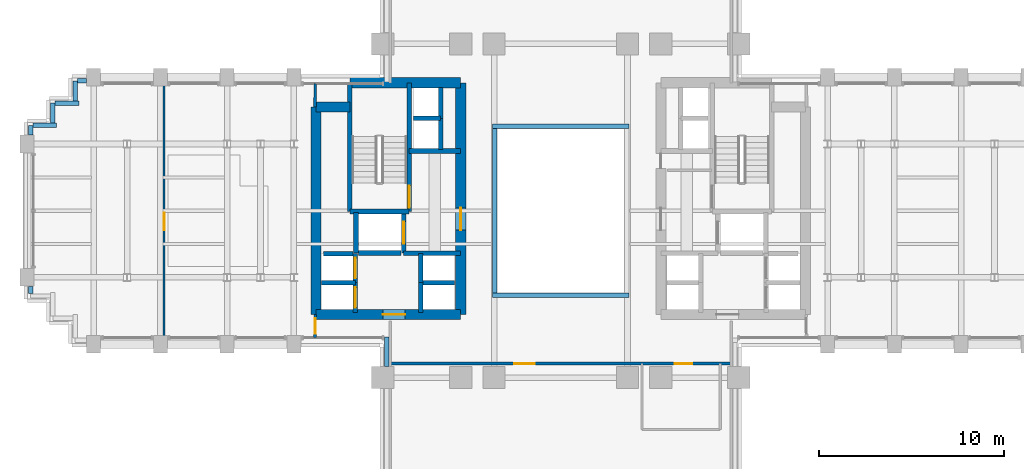
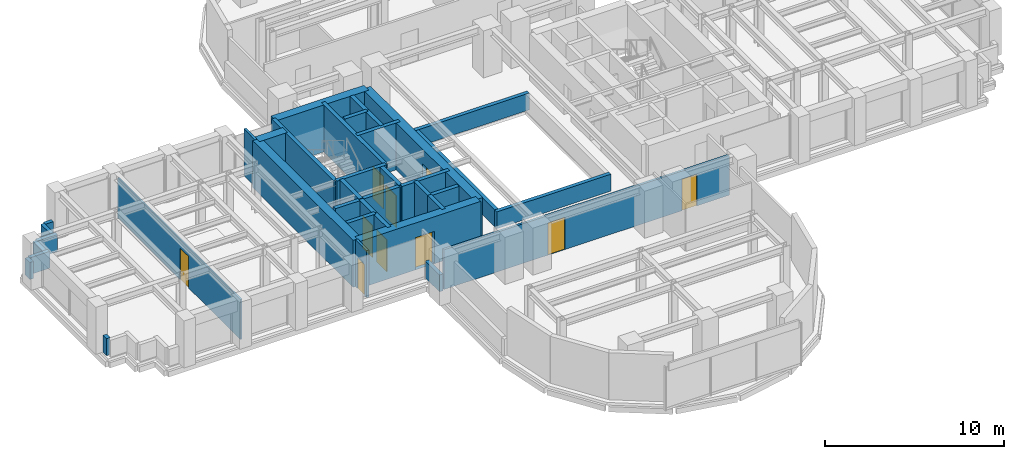
# One storey, part 10 of 16: 38 walls, 10 doors, 10 openings.
"""IFC4 building model written with IfcOpenShell, lengths in metres."""

from ifc_helpers import new_model, si_unit, direction, frame, frame_2d, origin, place, context, subcontext, project, spatial, rectangle, extrude, source, transform, mapped, material, layer, layer_set, type_object, element, fill, save


model = new_model("IFC4")

# Units and contexts
model_context = context("Model", 3, precision=1e-05, world=origin(), true_north=direction((0.0, 1.0)))
body_context = subcontext(model_context, "Body", "Model", "MODEL_VIEW")
ifc_project = project(units=[si_unit("LENGTHUNIT", "METRE"), si_unit("AREAUNIT", "SQUARE_METRE"), si_unit("VOLUMEUNIT", "CUBIC_METRE"), si_unit("PLANEANGLEUNIT", "RADIAN"), si_unit("MASSUNIT", "GRAM", prefix="KILO")], contexts=[model_context])

# Site, building, storey
site_placement = place(None, origin())
site = spatial("IfcSite", under=ifc_project, at=site_placement, CompositionType="ELEMENT")
building_placement = place(site_placement, origin())
building = spatial("IfcBuilding", under=site, at=building_placement, Name="Keilestroom Media Tower", CompositionType="ELEMENT")
storey_placement = place(building_placement, frame((0.0, 0.0, 61.199951171875)))
storey = spatial("IfcBuildingStorey", under=building, at=storey_placement, Name="L15", CompositionType="ELEMENT", Elevation=61.199951171875)

# Wall, opening, door
ifc_material_1 = material(Name="Gypsum Plasterboard & Steel Stud", Category="steel")
ifc_layer_1 = layer(ifc_material_1, 0.1201171875)
ifc_layer_set_1 = layer_set([ifc_layer_1], Name="Gypsum Plasterboard & Steel Stud")
wall_type_1 = type_object("IfcWallType", Name="Interior-Partition-Wall-120", PredefinedType="PARTITIONING", material=ifc_layer_set_1)
wall_1_placement = place(storey_placement, frame((-21.39990234375, -6.85009765625, 0.0), z_axis=(0.0, 0.0, 1.0), x_axis=(0.0, 1.0, 0.0)))
wall_1 = element("IfcWall", 1, at=wall_1_placement, inside=storey, type_object=wall_type_1, Name="L15 Interior Wall WP-L15-WA-V", PredefinedType="PARTITIONING", context=body_context, shape_type="SweptSolid", body=[
    extrude(rectangle(XDim=13.7001953125, YDim=0.1201171875, at=frame_2d((6.85009765625, 0.0))), origin(), (0.0, 0.0, 1.0), 2.7099609375),
])
opening_1_placement = place(wall_1_placement, frame((5.800048828125, 0.0, 0.0)))
opening_1 = element("IfcOpeningElement", 2, at=opening_1_placement, cuts=wall_1, Name="Opening DI-03", PredefinedType="OPENING", context=body_context, shape_type="SweptSolid", body=[
    extrude(rectangle(XDim=0.949951171875, YDim=2.14990234375, at=frame_2d((0.47509765625, 1.074951171875))), frame((0.0, 0.070068359375, 0.0), z_axis=(0.0, -1.0, 0.0), x_axis=(1.0, 0.0, 0.0)), (0.0, 0.0, 1.0), 0.14013671875),
])
ifc_material_2 = material(Name="Lacquered European Oak Leaf", Category="wood")
door_type_1 = type_object("IfcDoorType", Name="Interior-Room-And-Suite-Door-DI-03", OperationType="NOTDEFINED", PredefinedType="DOOR", material=ifc_material_2)
shared_shape_1 = source(origin(), body_context, "Body", "SweptSolid", [
    extrude(rectangle(XDim=0.949951171875, YDim=2.14990234375, at=frame_2d((0.47509765625, 1.074951171875))), frame((0.0, 0.02490234375, 0.0), z_axis=(0.0, -1.0, 0.0), x_axis=(1.0, 0.0, 0.0)), (0.0, 0.0, 1.0), 0.050048828125),
])
door_1_placement = place(opening_1_placement, origin())
door_1 = element("IfcDoor", 3, at=door_1_placement, inside=storey, type_object=door_type_1, Name="L15 Interior Door DI-L15-DWA-W", OperationType="SINGLE_SWING_LEFT", OverallHeight=2.14990234375, OverallWidth=0.949951171875, PredefinedType="DOOR", context=body_context, shape_type="MappedRepresentation", body=[
    mapped(shared_shape_1, transform((0.0, 0.0, 0.0), x_axis=(1.0, 0.0, 0.0), y_axis=(0.0, 1.0, 0.0), z_axis=(0.0, 0.0, 1.0), scale=1.0)),
])
fill(opening_1, door_1)

# Wall, openings, doors
ifc_layer_2 = layer(ifc_material_1, 0.14990234375)
ifc_layer_set_2 = layer_set([ifc_layer_2], Name="Gypsum Plasterboard & Steel Stud")
wall_type_2 = type_object("IfcWallType", Name="Interior-Partition-Wall-150", PredefinedType="PARTITIONING", material=ifc_layer_set_2)
wall_2_placement = place(storey_placement, frame((-9.199951171875, -8.25, 0.0), z_axis=(0.0, 0.0, 1.0), x_axis=(1.0, 0.0, 0.0)))
wall_2 = element("IfcWall", 4, at=wall_2_placement, inside=storey, type_object=wall_type_2, Name="L15 Interior Wall WP-L15-SL-BASE", PredefinedType="PARTITIONING", context=body_context, shape_type="SweptSolid", body=[
    extrude(rectangle(XDim=18.39990234375, YDim=0.14990234375, at=frame_2d((9.199951171875, 0.0))), origin(), (0.0, 0.0, 1.0), 2.699951171875),
])
opening_2_placement = place(wall_2_placement, frame((15.35009765625, 0.0, 0.0)))
opening_2 = element("IfcOpeningElement", 5, at=opening_2_placement, cuts=wall_2, Name="Opening DI-03", PredefinedType="OPENING", context=body_context, shape_type="SweptSolid", body=[
    extrude(rectangle(XDim=0.949951171875, YDim=2.14990234375, at=frame_2d((0.47509765625, 1.074951171875))), frame((0.0, 0.0849609375, 0.0), z_axis=(0.0, -1.0, 0.0), x_axis=(1.0, 0.0, 0.0)), (0.0, 0.0, 1.0), 0.169921875),
])
opening_3_placement = place(wall_2_placement, frame((6.699951171875, 0.0, 0.0)))
opening_3 = element("IfcOpeningElement", 6, at=opening_3_placement, cuts=wall_2, Name="Opening DI-04", PredefinedType="OPENING", context=body_context, shape_type="SweptSolid", body=[
    extrude(rectangle(XDim=1.10009765625, YDim=2.199951171875, at=frame_2d((0.550048828125, 1.10009765625))), frame((0.0, 0.0849609375, 0.0), z_axis=(0.0, -1.0, 0.0), x_axis=(1.0, 0.0, 0.0)), (0.0, 0.0, 1.0), 0.169921875),
])
door_2_placement = place(opening_2_placement, origin())
door_2 = element("IfcDoor", 7, at=door_2_placement, inside=storey, type_object=door_type_1, Name="L15 Interior Door DI-L15-DSL-WC", OperationType="SINGLE_SWING_RIGHT", OverallHeight=2.14990234375, OverallWidth=0.949951171875, PredefinedType="DOOR", context=body_context, shape_type="MappedRepresentation", body=[
    mapped(shared_shape_1, transform((0.0, 0.0, 0.0), x_axis=(1.0, 0.0, 0.0), y_axis=(0.0, 1.0, 0.0), z_axis=(0.0, 0.0, 1.0), scale=1.0)),
])
fill(opening_2, door_2)
ifc_material_3 = material(Name="Acoustic Glazed Aluminium Leaf", Category="aluminium")
door_type_2 = type_object("IfcDoorType", Name="Interior-Room-And-Suite-Door-DI-04", OperationType="NOTDEFINED", PredefinedType="DOOR", material=ifc_material_3)
shared_shape_2 = source(origin(), body_context, "Body", "SweptSolid", [
    extrude(rectangle(XDim=1.10009765625, YDim=2.199951171875, at=frame_2d((0.550048828125, 1.10009765625))), frame((0.0, 0.02490234375, 0.0), z_axis=(0.0, -1.0, 0.0), x_axis=(1.0, 0.0, 0.0)), (0.0, 0.0, 1.0), 0.050048828125),
])
door_3_placement = place(opening_3_placement, origin())
door_3 = element("IfcDoor", 8, at=door_3_placement, inside=storey, type_object=door_type_2, Name="L15 Interior Door DI-L15-DSL-MAIN", OperationType="SINGLE_SWING_LEFT", OverallHeight=2.199951171875, OverallWidth=1.10009765625, PredefinedType="DOOR", context=body_context, shape_type="MappedRepresentation", body=[
    mapped(shared_shape_2, transform((0.0, 0.0, 0.0), x_axis=(1.0, 0.0, 0.0), y_axis=(0.0, 1.0, 0.0), z_axis=(0.0, 0.0, 1.0), scale=1.0)),
])
fill(opening_3, door_3)

# Wall
wall_3_placement = place(storey_placement, frame((-13.260009765625, 5.60009765625, 0.0), z_axis=(0.0, 0.0, 1.0), x_axis=(0.016013571389, 0.999871774545, 0.0)))
element("IfcWall", 9, at=wall_3_placement, inside=storey, type_object=wall_type_2, Name="L15 Interior Wall WP-L15-WA-ENTN", PredefinedType="PARTITIONING", context=body_context, shape_type="SweptSolid", body=[
    extrude(rectangle(XDim=1.250244140625, YDim=0.14990234375, at=frame_2d((0.625, 0.0))), origin(), (0.0, 0.0, 1.0), 3.199951171875),
])

# Wall, opening, door
wall_4_placement = place(storey_placement, frame((-13.260009765625, -6.85009765625, 0.0), z_axis=(0.0, 0.0, 1.0), x_axis=(0.016013571389, 0.999871774545, 0.0)))
wall_4 = element("IfcWall", 10, at=wall_4_placement, inside=storey, type_object=wall_type_2, Name="L15 Interior Wall WP-L15-WA-ENTS", PredefinedType="PARTITIONING", context=body_context, shape_type="SweptSolid", body=[
    extrude(rectangle(XDim=1.250244140625, YDim=0.14990234375, at=frame_2d((0.625, 0.0))), origin(), (0.0, 0.0, 1.0), 3.199951171875),
])
opening_4_placement = place(wall_4_placement, frame((0.199951171875, 0.0, 0.0)))
opening_4 = element("IfcOpeningElement", 11, at=opening_4_placement, cuts=wall_4, Name="Opening DI-05", PredefinedType="OPENING", context=body_context, shape_type="SweptSolid", body=[
    extrude(rectangle(XDim=0.85009765625, YDim=2.10009765625, at=frame_2d((0.425048828125, 1.050048828125))), frame((0.0, 0.0849609375, 0.0), z_axis=(0.0, -1.0, 0.0), x_axis=(1.0, 0.0, 0.0)), (0.0, 0.0, 1.0), 0.169921875),
])
ifc_material_4 = material(Name="Moisture-Resistant Oak Leaf", Category="wood")
door_type_3 = type_object("IfcDoorType", Name="Interior-En-Suite-And-Cupboard-Door-DI-05", OperationType="NOTDEFINED", PredefinedType="DOOR", material=ifc_material_4)
shared_shape_3 = source(origin(), body_context, "Body", "SweptSolid", [
    extrude(rectangle(XDim=0.85009765625, YDim=2.10009765625, at=frame_2d((0.425048828125, 1.050048828125))), frame((0.0, 0.02490234375, 0.0), z_axis=(0.0, -1.0, 0.0), x_axis=(1.0, 0.0, 0.0)), (0.0, 0.0, 1.0), 0.050048828125),
])
door_4_placement = place(opening_4_placement, origin())
door_4 = element("IfcDoor", 12, at=door_4_placement, inside=storey, type_object=door_type_3, Name="L15 Interior Door DI-L15-DWA-E", OperationType="SINGLE_SWING_RIGHT", OverallHeight=2.10009765625, OverallWidth=0.85009765625, PredefinedType="DOOR", context=body_context, shape_type="MappedRepresentation", body=[
    mapped(shared_shape_3, transform((0.0, 0.0, 0.0), x_axis=(1.0, 0.0, 0.0), y_axis=(0.0, 1.0, 0.0), z_axis=(0.0, 0.0, 1.0), scale=1.0)),
])
fill(opening_4, door_4)

# Wall
ifc_material_5 = material(Name="Concrete C70/85", Category="concrete")
ifc_layer_3 = layer(ifc_material_5, 0.550048828125)
ifc_layer_set_3 = layer_set([ifc_layer_3], Name="Concrete C70/85")
wall_type_3 = type_object("IfcWallType", Name="Reinforced-Concrete-Core-Shear-Wall-550", PredefinedType="SHEAR", material=ifc_layer_set_3)
wall_5_placement = place(storey_placement, frame((-13.199951171875, -5.60009765625, 0.0), z_axis=(0.0, 0.0, 1.0), x_axis=(0.0, 1.0, 0.0)))
element("IfcWall", 13, at=wall_5_placement, inside=storey, type_object=wall_type_3, Name="L15 Core Shear Wall WL-L15-CORE-W-OUT", PredefinedType="SHEAR", context=body_context, shape_type="SweptSolid", body=[
    extrude(rectangle(XDim=11.2001953125, YDim=0.550048828125, at=frame_2d((5.60009765625, 0.0))), origin(), (0.0, 0.0, 1.0), 3.199951171875),
])

# Wall, opening, door
wall_6_placement = place(storey_placement, frame((-5.39990234375, -5.60009765625, 0.0), z_axis=(0.0, 0.0, 1.0), x_axis=(0.0, 1.0, 0.0)))
wall_6 = element("IfcWall", 14, at=wall_6_placement, inside=storey, type_object=wall_type_3, Name="L15 Core Shear Wall WL-L15-CORE-W-IN", PredefinedType="SHEAR", context=body_context, shape_type="SweptSolid", body=[
    extrude(rectangle(XDim=12.5, YDim=0.550048828125, at=frame_2d((6.25, 0.0))), origin(), (0.0, 0.0, 1.0), 3.199951171875),
])
opening_5_placement = place(wall_6_placement, frame((4.550048828125, 0.0, 0.0)))
opening_5 = element("IfcOpeningElement", 15, at=opening_5_placement, cuts=wall_6, Name="Opening DI-02", PredefinedType="OPENING", context=body_context, shape_type="SweptSolid", body=[
    extrude(rectangle(XDim=1.199951171875, YDim=2.199951171875, at=frame_2d((0.60009765625, 1.10009765625))), frame((0.0, 0.28515625, 0.0), z_axis=(0.0, -1.0, 0.0), x_axis=(1.0, 0.0, 0.0)), (0.0, 0.0, 1.0), 0.570068359375),
])
ifc_material_6 = material(Name="Powder-Coated Steel Fire Leaf", Category="steel")
door_type_4 = type_object("IfcDoorType", Name="Interior-Compartment-Fire-Door-DI-02", OperationType="NOTDEFINED", PredefinedType="DOOR", material=ifc_material_6)
shared_shape_4 = source(origin(), body_context, "Body", "SweptSolid", [
    extrude(rectangle(XDim=1.199951171875, YDim=2.199951171875, at=frame_2d((0.60009765625, 1.10009765625))), frame((0.0, 0.02490234375, 0.0), z_axis=(0.0, -1.0, 0.0), x_axis=(1.0, 0.0, 0.0)), (0.0, 0.0, 1.0), 0.050048828125),
])
door_5_placement = place(opening_5_placement, origin())
door_5 = element("IfcDoor", 16, at=door_5_placement, inside=storey, type_object=door_type_4, Name="L15 W Firefighting Lobby Door", OperationType="SINGLE_SWING_RIGHT", OverallHeight=2.199951171875, OverallWidth=1.199951171875, PredefinedType="DOOR", context=body_context, shape_type="MappedRepresentation", body=[
    mapped(shared_shape_4, transform((0.0, 0.0, 0.0), x_axis=(1.0, 0.0, 0.0), y_axis=(0.0, 1.0, 0.0), z_axis=(0.0, 0.0, 1.0), scale=1.0)),
])
fill(opening_5, door_5)

# Walls
wall_7_placement = place(storey_placement, frame((-11.381103515625, 6.89990234375, 0.0), z_axis=(0.0, 0.0, 1.0), x_axis=(1.0, 0.0, 0.0)))
element("IfcWall", 17, at=wall_7_placement, inside=storey, type_object=wall_type_3, Name="L15 Core Shear Wall WL-L15-CORE-W-N", PredefinedType="SHEAR", context=body_context, shape_type="SweptSolid", body=[
    extrude(rectangle(XDim=5.981201171875, YDim=0.550048828125, at=frame_2d((2.99072265625, 0.0))), origin(), (0.0, 0.0, 1.0), 3.199951171875),
])
wall_8_placement = place(storey_placement, frame((-13.199951171875, 5.60009765625, 0.0), z_axis=(0.0, 0.0, 1.0), x_axis=(1.0, 0.0, 0.0)))
element("IfcWall", 18, at=wall_8_placement, inside=storey, type_object=wall_type_3, Name="L15 Core Shear Wall WL-L15-CNW-N", PredefinedType="SHEAR", context=body_context, shape_type="SweptSolid", body=[
    extrude(rectangle(XDim=1.81884765625, YDim=0.550048828125, at=frame_2d((0.909423828125, 0.0))), origin(), (0.0, 0.0, 1.0), 3.199951171875),
])

# Wall, opening, door
wall_9_placement = place(storey_placement, frame((-13.199951171875, -5.60009765625, 0.0), z_axis=(0.0, 0.0, 1.0), x_axis=(1.0, 0.0, 0.0)))
wall_9 = element("IfcWall", 19, at=wall_9_placement, inside=storey, type_object=wall_type_3, Name="L15 Core Shear Wall WL-L15-CORE-W-S", PredefinedType="SHEAR", context=body_context, shape_type="SweptSolid", body=[
    extrude(rectangle(XDim=7.800048828125, YDim=0.550048828125, at=frame_2d((3.89990234375, 0.0))), origin(), (0.0, 0.0, 1.0), 3.199951171875),
])
opening_6_placement = place(wall_9_placement, frame((3.60009765625, 0.0, 0.0)))
opening_6 = element("IfcOpeningElement", 20, at=opening_6_placement, cuts=wall_9, Name="Opening DI-02", PredefinedType="OPENING", context=body_context, shape_type="SweptSolid", body=[
    extrude(rectangle(XDim=1.199951171875, YDim=2.199951171875, at=frame_2d((0.60009765625, 1.10009765625))), frame((0.0, 0.28515625, 0.0), z_axis=(0.0, -1.0, 0.0), x_axis=(1.0, 0.0, 0.0)), (0.0, 0.0, 1.0), 0.570068359375),
])
door_6_placement = place(opening_6_placement, origin())
door_6 = element("IfcDoor", 21, at=door_6_placement, inside=storey, type_object=door_type_4, Name="L15 W Passenger Lift Lobby Door", OperationType="SINGLE_SWING_LEFT", OverallHeight=2.199951171875, OverallWidth=1.199951171875, PredefinedType="DOOR", context=body_context, shape_type="MappedRepresentation", body=[
    mapped(shared_shape_4, transform((0.0, 0.0, 0.0), x_axis=(1.0, 0.0, 0.0), y_axis=(0.0, 1.0, 0.0), z_axis=(0.0, 0.0, 1.0), scale=1.0)),
])
fill(opening_6, door_6)

# Walls
ifc_material_7 = material(Name="Concrete C50/60", Category="concrete")
ifc_layer_4 = layer(ifc_material_7, 0.25)
ifc_layer_set_4 = layer_set([ifc_layer_4], Name="Concrete C50/60")
wall_type_4 = type_object("IfcWallType", Name="Reinforced-Concrete-Shaft-Wall-250", PredefinedType="SOLIDWALL", material=ifc_layer_set_4)
wall_10_placement = place(storey_placement, frame((-8.179931640625, 3.219970703125, 0.0), z_axis=(0.0, 0.0, 1.0), x_axis=(1.0, 0.0, 0.0)))
element("IfcWall", 22, at=wall_10_placement, inside=storey, type_object=wall_type_4, Name="L15 Core Shear Wall WL-L15-CORE-W-FFN", PredefinedType="SOLIDWALL", context=body_context, shape_type="SweptSolid", body=[
    extrude(rectangle(XDim=2.780029296875, YDim=0.25, at=frame_2d((1.39013671875, 0.0))), origin(), (0.0, 0.0, 1.0), 3.199951171875),
])
wall_11_placement = place(storey_placement, frame((-8.47998046875, -2.300048828125, 0.0), z_axis=(0.0, 0.0, 1.0), x_axis=(1.0, 0.0, 0.0)))
element("IfcWall", 23, at=wall_11_placement, inside=storey, type_object=wall_type_4, Name="L15 Core Shear Wall WL-L15-CORE-W-FFS", PredefinedType="SOLIDWALL", context=body_context, shape_type="SweptSolid", body=[
    extrude(rectangle(XDim=3.080078125, YDim=0.25, at=frame_2d((1.5400390625, 0.0))), origin(), (0.0, 0.0, 1.0), 3.199951171875),
])

# Wall, opening, door
wall_12_placement = place(storey_placement, frame((-8.178955078125, -0.041015625, 0.0), z_axis=(0.0, 0.0, 1.0), x_axis=(0.0, 1.0, 0.0)))
wall_12 = element("IfcWall", 24, at=wall_12_placement, inside=storey, type_object=wall_type_4, Name="L15 Core Shear Wall WL-L15-STW-W-NEAR", PredefinedType="SOLIDWALL", context=body_context, shape_type="SweptSolid", body=[
    extrude(rectangle(XDim=6.94091796875, YDim=0.25, at=frame_2d((3.470458984375, 0.0))), origin(), (0.0, 0.0, 1.0), 3.199951171875),
])
opening_7_placement = place(wall_12_placement, frame((0.199951171875, 0.0, 0.0)))
opening_7 = element("IfcOpeningElement", 25, at=opening_7_placement, cuts=wall_12, Name="Opening DI-01S", PredefinedType="OPENING", context=body_context, shape_type="SweptSolid", body=[
    extrude(rectangle(XDim=1.199951171875, YDim=2.199951171875, at=frame_2d((0.60009765625, 1.10009765625))), frame((0.0, 0.135009765625, 0.0), z_axis=(0.0, -1.0, 0.0), x_axis=(1.0, 0.0, 0.0)), (0.0, 0.0, 1.0), 0.27001953125),
])
door_type_5 = type_object("IfcDoorType", Name="Interior-Stair-And-Core-Fire-Door-DI-01", OperationType="NOTDEFINED", PredefinedType="DOOR", material=ifc_material_6)
door_7_placement = place(opening_7_placement, origin())
door_7 = element("IfcDoor", 26, at=door_7_placement, inside=storey, type_object=door_type_5, Name="L15 Escape Stair ST-1 Fire Door", OperationType="SINGLE_SWING_LEFT", OverallHeight=2.199951171875, OverallWidth=1.199951171875, PredefinedType="DOOR", context=body_context, shape_type="MappedRepresentation", body=[
    mapped(shared_shape_4, transform((0.0, 0.0, 0.0), x_axis=(1.0, 0.0, 0.0), y_axis=(0.0, 1.0, 0.0), z_axis=(0.0, 0.0, 1.0), scale=1.0)),
])
fill(opening_7, door_7)

# Walls
wall_13_placement = place(storey_placement, frame((-11.381103515625, -0.041015625, 0.0), z_axis=(0.0, 0.0, 1.0), x_axis=(0.0, 1.0, 0.0)))
element("IfcWall", 27, at=wall_13_placement, inside=storey, type_object=wall_type_4, Name="L15 Core Shear Wall WL-L15-STW-W-FAR", PredefinedType="SOLIDWALL", context=body_context, shape_type="SweptSolid", body=[
    extrude(rectangle(XDim=6.94091796875, YDim=0.25, at=frame_2d((3.470458984375, 0.0))), origin(), (0.0, 0.0, 1.0), 3.199951171875),
])
wall_14_placement = place(storey_placement, frame((-11.381103515625, -0.041015625, 0.0), z_axis=(0.0, 0.0, 1.0), x_axis=(1.0, 0.0, 0.0)))
element("IfcWall", 28, at=wall_14_placement, inside=storey, type_object=wall_type_4, Name="L15 Core Shear Wall WL-L15-STW-W-S", PredefinedType="SOLIDWALL", context=body_context, shape_type="SweptSolid", body=[
    extrude(rectangle(XDim=3.2021484375, YDim=0.25, at=frame_2d((1.60107421875, 0.0))), origin(), (0.0, 0.0, 1.0), 3.199951171875),
])
wall_15_placement = place(storey_placement, frame((-11.050048828125, -2.280029296875, 0.0), z_axis=(0.0, 0.0, 1.0), x_axis=(0.0, 1.0, 0.0)))
element("IfcWall", 29, at=wall_15_placement, inside=storey, type_object=wall_type_4, Name="L15 Core Shear Wall WL-L15-LSH-FFL-1-W", PredefinedType="SOLIDWALL", context=body_context, shape_type="SweptSolid", body=[
    extrude(rectangle(XDim=2.179931640625, YDim=0.25, at=frame_2d((1.08984375, 0.0))), origin(), (0.0, 0.0, 1.0), 3.199951171875),
])

# Wall, opening, door
wall_16_placement = place(storey_placement, frame((-8.47998046875, -2.280029296875, 0.0), z_axis=(0.0, 0.0, 1.0), x_axis=(0.0, 1.0, 0.0)))
wall_16 = element("IfcWall", 30, at=wall_16_placement, inside=storey, type_object=wall_type_4, Name="L15 Core Shear Wall WL-L15-LSH-FFL-1-E", PredefinedType="SOLIDWALL", context=body_context, shape_type="SweptSolid", body=[
    extrude(rectangle(XDim=2.179931640625, YDim=0.25, at=frame_2d((1.08984375, 0.0))), origin(), (0.0, 0.0, 1.0), 3.199951171875),
])
opening_8_placement = place(wall_16_placement, frame((0.489990234375, 0.0, 0.0)))
opening_8 = element("IfcOpeningElement", 31, at=opening_8_placement, cuts=wall_16, Name="Opening LD-02", PredefinedType="OPENING", context=body_context, shape_type="SweptSolid", body=[
    extrude(rectangle(XDim=1.199951171875, YDim=2.199951171875, at=frame_2d((0.60009765625, 1.10009765625))), frame((0.0, 0.135009765625, 0.0), z_axis=(0.0, -1.0, 0.0), x_axis=(1.0, 0.0, 0.0)), (0.0, 0.0, 1.0), 0.27001953125),
])
ifc_material_8 = material(Name="Brushed Stainless Steel Sliding Leaf", Category="steel")
door_type_6 = type_object("IfcDoorType", Name="Lift-Landing-Sliding-Door-LD-02", OperationType="SLIDING_TO_RIGHT", PredefinedType="DOOR", material=ifc_material_8)
door_8_placement = place(opening_8_placement, origin())
door_8 = element("IfcDoor", 32, at=door_8_placement, inside=storey, type_object=door_type_6, Name="L15 Lift FFL-1 Landing Sliding Door", OperationType="SLIDING_TO_RIGHT", OverallHeight=2.199951171875, OverallWidth=1.199951171875, PredefinedType="DOOR", context=body_context, shape_type="MappedRepresentation", body=[
    mapped(shared_shape_4, transform((0.0, 0.0, 0.0), x_axis=(1.0, 0.0, 0.0), y_axis=(0.0, 1.0, 0.0), z_axis=(0.0, 0.0, 1.0), scale=1.0)),
])
fill(opening_8, door_8)

# Wall
wall_17_placement = place(storey_placement, frame((-10.9208984375, -2.280029296875, 0.0), z_axis=(0.0, 0.0, 1.0), x_axis=(1.0, 0.0, 0.0)))
element("IfcWall", 33, at=wall_17_placement, inside=storey, type_object=wall_type_4, Name="L15 Core Shear Wall WL-L15-LSH-FFL-1-S", PredefinedType="SOLIDWALL", context=body_context, shape_type="SweptSolid", body=[
    extrude(rectangle(XDim=2.31201171875, YDim=0.25, at=frame_2d((1.156005859375, 0.0))), origin(), (0.0, 0.0, 1.0), 3.199951171875),
])

# Wall, opening, door
wall_18_placement = place(storey_placement, frame((-11.080078125, -5.47998046875, 0.0), z_axis=(0.0, 0.0, 1.0), x_axis=(0.0, 1.0, 0.0)))
wall_18 = element("IfcWall", 34, at=wall_18_placement, inside=storey, type_object=wall_type_4, Name="L15 Core Shear Wall WL-L15-LSH-PL-L1-E", PredefinedType="SOLIDWALL", context=body_context, shape_type="SweptSolid", body=[
    extrude(rectangle(XDim=1.60009765625, YDim=0.25, at=frame_2d((0.800048828125, 0.0))), origin(), (0.0, 0.0, 1.0), 3.199951171875),
])
opening_9_placement = place(wall_18_placement, frame((0.25, 0.0, 0.0)))
opening_9 = element("IfcOpeningElement", 35, at=opening_9_placement, cuts=wall_18, Name="Opening LD-01", PredefinedType="OPENING", context=body_context, shape_type="SweptSolid", body=[
    extrude(rectangle(XDim=1.10009765625, YDim=2.199951171875, at=frame_2d((0.550048828125, 1.10009765625))), frame((0.0, 0.135009765625, 0.0), z_axis=(0.0, -1.0, 0.0), x_axis=(1.0, 0.0, 0.0)), (0.0, 0.0, 1.0), 0.27001953125),
])
door_type_7 = type_object("IfcDoorType", Name="Lift-Landing-Sliding-Door-LD-01", OperationType="SLIDING_TO_LEFT", PredefinedType="DOOR", material=ifc_material_8)
door_9_placement = place(opening_9_placement, origin())
door_9 = element("IfcDoor", 36, at=door_9_placement, inside=storey, type_object=door_type_7, Name="L15 Lift PL-L1 Landing Sliding Door", OperationType="SLIDING_TO_LEFT", OverallHeight=2.199951171875, OverallWidth=1.10009765625, PredefinedType="DOOR", context=body_context, shape_type="MappedRepresentation", body=[
    mapped(shared_shape_2, transform((0.0, 0.0, 0.0), x_axis=(1.0, 0.0, 0.0), y_axis=(0.0, 1.0, 0.0), z_axis=(0.0, 0.0, 1.0), scale=1.0)),
])
fill(opening_9, door_9)

# Wall
wall_19_placement = place(storey_placement, frame((-12.919921875, -3.8798828125, 0.0), z_axis=(0.0, 0.0, 1.0), x_axis=(1.0, 0.0, 0.0)))
element("IfcWall", 37, at=wall_19_placement, inside=storey, type_object=wall_type_4, Name="L15 Core Shear Wall WL-L15-LSH-PL-L1-N", PredefinedType="SOLIDWALL", context=body_context, shape_type="SweptSolid", body=[
    extrude(rectangle(XDim=1.83984375, YDim=0.25, at=frame_2d((0.919921875, 0.0))), origin(), (0.0, 0.0, 1.0), 3.199951171875),
])

# Wall, opening, door
wall_20_placement = place(storey_placement, frame((-11.080078125, -3.8798828125, 0.0), z_axis=(0.0, 0.0, 1.0), x_axis=(0.0, 1.0, 0.0)))
wall_20 = element("IfcWall", 38, at=wall_20_placement, inside=storey, type_object=wall_type_4, Name="L15 Core Shear Wall WL-L15-LSH-PL-L2-E", PredefinedType="SOLIDWALL", context=body_context, shape_type="SweptSolid", body=[
    extrude(rectangle(XDim=1.559814453125, YDim=0.25, at=frame_2d((0.77978515625, 0.0))), origin(), (0.0, 0.0, 1.0), 3.199951171875),
])
opening_10_placement = place(wall_20_placement, frame((0.22998046875, 0.0, 0.0)))
opening_10 = element("IfcOpeningElement", 39, at=opening_10_placement, cuts=wall_20, Name="Opening LD-01", PredefinedType="OPENING", context=body_context, shape_type="SweptSolid", body=[
    extrude(rectangle(XDim=1.10009765625, YDim=2.199951171875, at=frame_2d((0.550048828125, 1.10009765625))), frame((0.0, 0.135009765625, 0.0), z_axis=(0.0, -1.0, 0.0), x_axis=(1.0, 0.0, 0.0)), (0.0, 0.0, 1.0), 0.27001953125),
])
door_10_placement = place(opening_10_placement, origin())
door_10 = element("IfcDoor", 40, at=door_10_placement, inside=storey, type_object=door_type_7, Name="L15 Lift PL-L2 Landing Sliding Door", OperationType="SLIDING_TO_LEFT", OverallHeight=2.199951171875, OverallWidth=1.10009765625, PredefinedType="DOOR", context=body_context, shape_type="MappedRepresentation", body=[
    mapped(shared_shape_2, transform((0.0, 0.0, 0.0), x_axis=(1.0, 0.0, 0.0), y_axis=(0.0, 1.0, 0.0), z_axis=(0.0, 0.0, 1.0), scale=1.0)),
])
fill(opening_10, door_10)

# Walls
wall_21_placement = place(storey_placement, frame((-12.791015625, -2.320068359375, 0.0), z_axis=(0.0, 0.0, 1.0), x_axis=(1.0, 0.0, 0.0)))
element("IfcWall", 41, at=wall_21_placement, inside=storey, type_object=wall_type_4, Name="L15 Core Shear Wall WL-L15-LSH-PL-L2-N", PredefinedType="SOLIDWALL", context=body_context, shape_type="SweptSolid", body=[
    extrude(rectangle(XDim=1.58203125, YDim=0.25, at=frame_2d((0.791015625, 0.0))), origin(), (0.0, 0.0, 1.0), 3.199951171875),
])
wall_22_placement = place(storey_placement, frame((-7.56005859375, -5.47998046875, 0.0), z_axis=(0.0, 0.0, 1.0), x_axis=(0.0, 1.0, 0.0)))
element("IfcWall", 42, at=wall_22_placement, inside=storey, type_object=wall_type_4, Name="L15 Core Shear Wall WL-L15-LSH-PL-M1-W", PredefinedType="SOLIDWALL", context=body_context, shape_type="SweptSolid", body=[
    extrude(rectangle(XDim=1.60009765625, YDim=0.25, at=frame_2d((0.800048828125, 0.0))), origin(), (0.0, 0.0, 1.0), 3.199951171875),
])
wall_23_placement = place(storey_placement, frame((-7.56005859375, -3.8798828125, 0.0), z_axis=(0.0, 0.0, 1.0), x_axis=(1.0, 0.0, 0.0)))
element("IfcWall", 43, at=wall_23_placement, inside=storey, type_object=wall_type_4, Name="L15 Core Shear Wall WL-L15-LSH-PL-M1-N", PredefinedType="SOLIDWALL", context=body_context, shape_type="SweptSolid", body=[
    extrude(rectangle(XDim=1.840087890625, YDim=0.25, at=frame_2d((0.919921875, 0.0))), origin(), (0.0, 0.0, 1.0), 3.199951171875),
])
wall_24_placement = place(storey_placement, frame((-7.56005859375, -3.8798828125, 0.0), z_axis=(0.0, 0.0, 1.0), x_axis=(0.0, 1.0, 0.0)))
element("IfcWall", 44, at=wall_24_placement, inside=storey, type_object=wall_type_4, Name="L15 Core Shear Wall WL-L15-LSH-PL-M2-W", PredefinedType="SOLIDWALL", context=body_context, shape_type="SweptSolid", body=[
    extrude(rectangle(XDim=1.559814453125, YDim=0.25, at=frame_2d((0.77978515625, 0.0))), origin(), (0.0, 0.0, 1.0), 3.199951171875),
])
wall_25_placement = place(storey_placement, frame((-6.47998046875, 3.300048828125, 0.0), z_axis=(0.0, 0.0, 1.0), x_axis=(0.0, 1.0, 0.0)))
element("IfcWall", 45, at=wall_25_placement, inside=storey, type_object=wall_type_4, Name="L15 Core Shear Wall WL-L15-LSH-PL-H1-E", PredefinedType="SOLIDWALL", context=body_context, shape_type="SweptSolid", body=[
    extrude(rectangle(XDim=1.679931640625, YDim=0.25, at=frame_2d((0.83984375, 0.0))), origin(), (0.0, 0.0, 1.0), 3.199951171875),
])
wall_26_placement = place(storey_placement, frame((-7.949951171875, 4.97998046875, 0.0), z_axis=(0.0, 0.0, 1.0), x_axis=(1.0, 0.0, 0.0)))
element("IfcWall", 46, at=wall_26_placement, inside=storey, type_object=wall_type_4, Name="L15 Core Shear Wall WL-L15-LSH-PL-H1-N", PredefinedType="SOLIDWALL", context=body_context, shape_type="SweptSolid", body=[
    extrude(rectangle(XDim=1.469970703125, YDim=0.25, at=frame_2d((0.73486328125, 0.0))), origin(), (0.0, 0.0, 1.0), 3.199951171875),
])
wall_27_placement = place(storey_placement, frame((-6.47998046875, 4.97998046875, 0.0), z_axis=(0.0, 0.0, 1.0), x_axis=(0.0, 1.0, 0.0)))
element("IfcWall", 47, at=wall_27_placement, inside=storey, type_object=wall_type_4, Name="L15 Core Shear Wall WL-L15-LSH-PL-H2-E", PredefinedType="SOLIDWALL", context=body_context, shape_type="SweptSolid", body=[
    extrude(rectangle(XDim=1.669921875, YDim=0.25, at=frame_2d((0.8349609375, 0.0))), origin(), (0.0, 0.0, 1.0), 3.199951171875),
])
ifc_material_9 = material(Name="Precast concrete C40/50", Category="concrete")
ifc_layer_5 = layer(ifc_material_9, 0.239990234375)
ifc_layer_set_5 = layer_set([ifc_layer_5], Name="Precast concrete C40/50")
wall_type_5 = type_object("IfcWallType", Name="Roof-And-Terrace-Parapet-Wall-240", PredefinedType="PARAPET", material=ifc_layer_set_5)
wall_28_placement = place(storey_placement, frame((-9.39990234375, -8.39697265625, 0.0), z_axis=(0.0, 0.0, 1.0), x_axis=(0.0, 1.0, 0.0)))
element("IfcWall", 48, at=wall_28_placement, inside=storey, type_object=wall_type_5, Name="L15 Perimeter Edge Parapet Wall 11", PredefinedType="PARAPET", context=body_context, shape_type="SweptSolid", body=[
    extrude(rectangle(XDim=1.578125, YDim=0.239990234375, at=frame_2d((0.7890625, 0.0))), origin(), (0.0, 0.0, 1.0), 1.150146484375),
])
wall_29_placement = place(storey_placement, frame((-28.60009765625, -4.47705078125, 0.0), z_axis=(0.0, 0.0, 1.0), x_axis=(0.0, 1.0, 0.0)))
element("IfcWall", 49, at=wall_29_placement, inside=storey, type_object=wall_type_5, Name="L15 Perimeter Edge Parapet Wall 17", PredefinedType="PARAPET", context=body_context, shape_type="SweptSolid", body=[
    extrude(rectangle(XDim=0.399169921875, YDim=0.239990234375, at=frame_2d((0.19970703125, 0.0))), origin(), (0.0, 0.0, 1.0), 1.150146484375),
])
wall_30_placement = place(storey_placement, frame((-28.60009765625, 4.077880859375, 0.0), z_axis=(0.0, 0.0, 1.0), x_axis=(0.0, 1.0, 0.0)))
element("IfcWall", 50, at=wall_30_placement, inside=storey, type_object=wall_type_5, Name="L15 Perimeter Edge Parapet Wall 18", PredefinedType="PARAPET", context=body_context, shape_type="SweptSolid", body=[
    extrude(rectangle(XDim=0.522216796875, YDim=0.239990234375, at=frame_2d((0.26123046875, 0.0))), origin(), (0.0, 0.0, 1.0), 1.150146484375),
])
wall_31_placement = place(storey_placement, frame((-28.47705078125, 4.60009765625, 0.0), z_axis=(0.0, 0.0, 1.0), x_axis=(1.0, 0.0, 0.0)))
element("IfcWall", 51, at=wall_31_placement, inside=storey, type_object=wall_type_5, Name="L15 Perimeter Edge Parapet Wall 19", PredefinedType="PARAPET", context=body_context, shape_type="SweptSolid", body=[
    extrude(rectangle(XDim=1.277099609375, YDim=0.239990234375, at=frame_2d((0.638671875, 0.0))), origin(), (0.0, 0.0, 1.0), 1.150146484375),
])
wall_32_placement = place(storey_placement, frame((-27.39990234375, 4.722900390625, 0.0), z_axis=(0.0, 0.0, 1.0), x_axis=(0.0, 1.0, 0.0)))
element("IfcWall", 52, at=wall_32_placement, inside=storey, type_object=wall_type_5, Name="L15 Perimeter Edge Parapet Wall 20", PredefinedType="PARAPET", context=body_context, shape_type="SweptSolid", body=[
    extrude(rectangle(XDim=1.0771484375, YDim=0.239990234375, at=frame_2d((0.53857421875, 0.0))), origin(), (0.0, 0.0, 1.0), 1.150146484375),
])
wall_33_placement = place(storey_placement, frame((-27.277099609375, 5.800048828125, 0.0), z_axis=(0.0, 0.0, 1.0), x_axis=(1.0, 0.0, 0.0)))
element("IfcWall", 53, at=wall_33_placement, inside=storey, type_object=wall_type_5, Name="L15 Perimeter Edge Parapet Wall 21", PredefinedType="PARAPET", context=body_context, shape_type="SweptSolid", body=[
    extrude(rectangle(XDim=1.277099609375, YDim=0.239990234375, at=frame_2d((0.638671875, 0.0))), origin(), (0.0, 0.0, 1.0), 1.150146484375),
])
wall_34_placement = place(storey_placement, frame((-26.199951171875, 5.923095703125, 0.0), z_axis=(0.0, 0.0, 1.0), x_axis=(0.0, 1.0, 0.0)))
element("IfcWall", 54, at=wall_34_placement, inside=storey, type_object=wall_type_5, Name="L15 Perimeter Edge Parapet Wall 22", PredefinedType="PARAPET", context=body_context, shape_type="SweptSolid", body=[
    extrude(rectangle(XDim=1.076904296875, YDim=0.239990234375, at=frame_2d((0.53857421875, 0.0))), origin(), (0.0, 0.0, 1.0), 1.150146484375),
])
wall_35_placement = place(storey_placement, frame((-26.076904296875, 7.0, 0.0), z_axis=(0.0, 0.0, 1.0), x_axis=(1.0, 0.0, 0.0)))
element("IfcWall", 55, at=wall_35_placement, inside=storey, type_object=wall_type_5, Name="L15 Perimeter Edge Parapet Wall 23", PredefinedType="PARAPET", context=body_context, shape_type="SweptSolid", body=[
    extrude(rectangle(XDim=0.4990234375, YDim=0.239990234375, at=frame_2d((0.24951171875, 0.0))), origin(), (0.0, 0.0, 1.0), 1.150146484375),
])
for number, where, z_axis, x_axis, name in (
    (56, (-3.679931640625, -4.56005859375, 0.0), (0.0, 0.0, 1.0), (1.0, 0.0, 0.0), "L15 Central Atrium Guard Parapet S"),
    (57, (-3.679931640625, 4.56005859375, 0.0), (0.0, 0.0, 1.0), (1.0, 0.0, 0.0), "L15 Central Atrium Guard Parapet N"),
):
    element("IfcWall", number, at=place(storey_placement, frame(where, z_axis=z_axis, x_axis=x_axis)), inside=storey, type_object=wall_type_5, Name=name, PredefinedType="PARAPET", context=body_context, shape_type="SweptSolid", body=[
        extrude(rectangle(XDim=7.35986328125, YDim=0.239990234375, at=frame_2d((3.679931640625, 0.0))), origin(), (0.0, 0.0, 1.0), 1.150146484375),
    ])
wall_36_placement = place(storey_placement, frame((-3.56005859375, -4.43505859375, 0.0), z_axis=(0.0, 0.0, 1.0), x_axis=(0.0, 1.0, 0.0)))
element("IfcWall", 58, at=wall_36_placement, inside=storey, type_object=wall_type_5, Name="L15 Central Atrium Guard Parapet W", PredefinedType="PARAPET", context=body_context, shape_type="SweptSolid", body=[
    extrude(rectangle(XDim=8.8701171875, YDim=0.239990234375, at=frame_2d((4.43505859375, 0.0))), origin(), (0.0, 0.0, 1.0), 1.150146484375),
])

save(model, "model.ifc")
